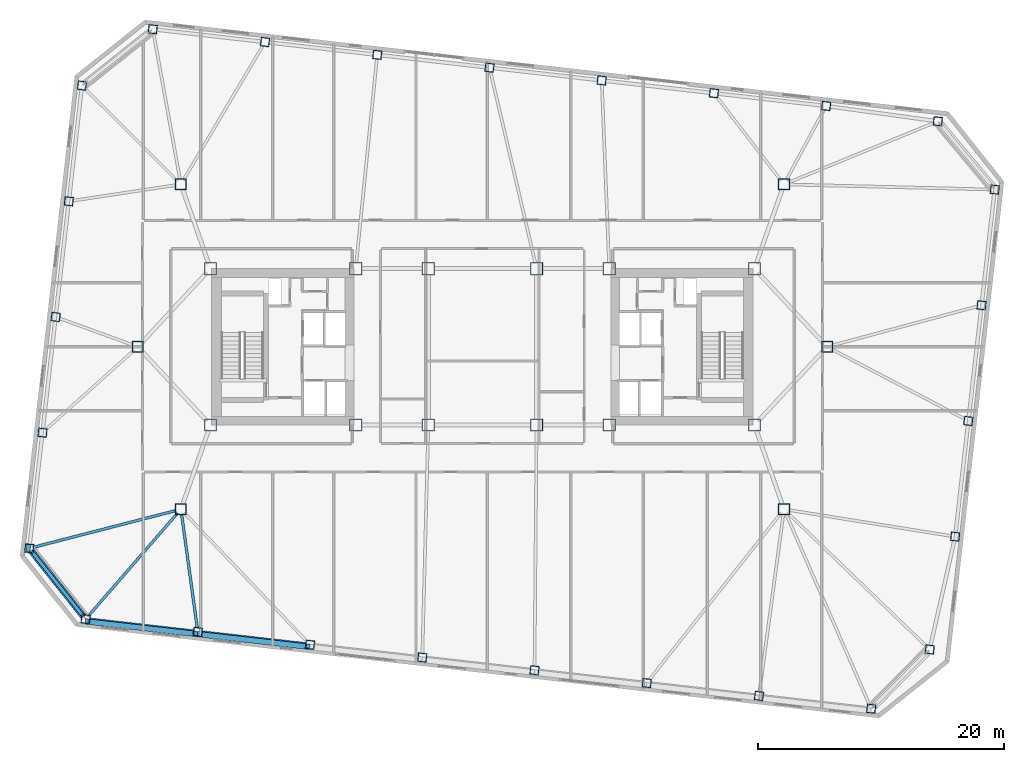
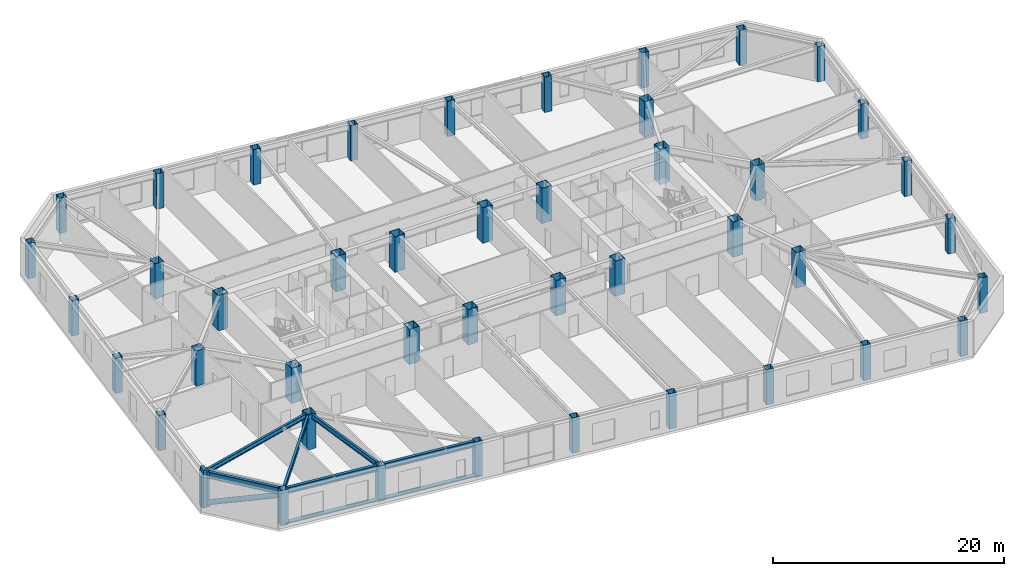
# One storey, part 1 of 21: 44 columns, 6 beams, 4 members.
"""IFC4 building model written with IfcOpenShell, lengths in metres."""

from ifc_helpers import new_model, si_unit, direction, frame, origin, origin_2d, place, context, subcontext, project, spatial, rectangle, hollow_rectangle, hollow_circle, i_section, extrude, material, material_profile, profile_set, type_object, element, save


model = new_model("IFC4")

# Units and contexts
model_context = context("Model", 3, precision=1e-05, world=origin(), true_north=direction((0.0, 1.0)))
body_context = subcontext(model_context, "Body", "Model", "MODEL_VIEW")
ifc_project = project(units=[si_unit("LENGTHUNIT", "METRE"), si_unit("AREAUNIT", "SQUARE_METRE"), si_unit("VOLUMEUNIT", "CUBIC_METRE"), si_unit("PLANEANGLEUNIT", "RADIAN"), si_unit("MASSUNIT", "GRAM", prefix="KILO")], contexts=[model_context])

# Site, building, storey
site_placement = place(None, origin())
site = spatial("IfcSite", under=ifc_project, at=site_placement, CompositionType="ELEMENT")
building_placement = place(site_placement, origin())
building = spatial("IfcBuilding", under=site, at=building_placement, Name="Tavrogorsk Clinical Tower", CompositionType="ELEMENT")
storey_placement = place(building_placement, frame((0.0, 0.0, 137.39990234375)))
storey = spatial("IfcBuildingStorey", under=building, at=storey_placement, Name="L31", CompositionType="ELEMENT", Elevation=137.39990234375)

# Columns
ifc_material_1 = material(Name="Structural steel S440", Category="steel")
ifc_material_profile_1 = material_profile(ifc_material_1, hollow_rectangle(XDim=1.0, YDim=1.0, WallThickness=0.044921875, at=origin_2d()), Name="BOX-1000x1000x45")
ifc_profile_set_1 = profile_set([ifc_material_profile_1], Name="Structural steel S440")
column_type_1 = type_object("IfcColumnType", Name="MegaCol_BOX1000", PredefinedType="COLUMN", material=ifc_profile_set_1)
for number, where, z_axis, x_axis, name in (
    (1, (-22.10009765625, -6.35009765625, 0.0), (0.0, 0.0, 1.0), (1.0, 0.0, 0.0), "L31 Mega Column MC-W1"),
    (2, (-22.10009765625, 6.35009765625, 0.0), (0.0, 0.0, 1.0), (1.0, 0.0, 0.0), "L31 Mega Column MC-W2"),
    (3, (-10.300048828125, -6.35009765625, 0.0), (0.0, 0.0, 1.0), (1.0, 0.0, 0.0), "L31 Mega Column MC-W3"),
    (4, (-10.300048828125, 6.35009765625, 0.0), (0.0, 0.0, 1.0), (1.0, 0.0, 0.0), "L31 Mega Column MC-W4"),
    (5, (10.300048828125, -6.35009765625, 0.0), (0.0, 0.0, 1.0), (1.0, 0.0, 0.0), "L31 Mega Column MC-E1"),
    (6, (10.300048828125, 6.35009765625, 0.0), (0.0, 0.0, 1.0), (1.0, 0.0, 0.0), "L31 Mega Column MC-E2"),
    (7, (22.10009765625, -6.35009765625, 0.0), (0.0, 0.0, 1.0), (1.0, 0.0, 0.0), "L31 Mega Column MC-E3"),
    (8, (22.10009765625, 6.35009765625, 0.0), (0.0, 0.0, 1.0), (1.0, 0.0, 0.0), "L31 Mega Column MC-E4"),
    (9, (-4.39990234375, -6.35009765625, 0.0), (0.0, 0.0, 1.0), (1.0, 0.0, 0.0), "L31 Mega Column MC-C1"),
    (10, (4.39990234375, -6.35009765625, 0.0), (0.0, 0.0, 1.0), (1.0, 0.0, 0.0), "L31 Mega Column MC-C2"),
    (11, (-4.39990234375, 6.35009765625, 0.0), (0.0, 0.0, 1.0), (1.0, 0.0, 0.0), "L31 Mega Column MC-C3"),
    (12, (4.39990234375, 6.35009765625, 0.0), (0.0, 0.0, 1.0), (1.0, 0.0, 0.0), "L31 Mega Column MC-C4"),
):
    element("IfcColumn", number, at=place(storey_placement, frame(where, z_axis=z_axis, x_axis=x_axis)), inside=storey, type_object=column_type_1, Name=name, PredefinedType="COLUMN", context=body_context, shape_type="SweptSolid", body=[
        extrude(hollow_rectangle(XDim=1.0, YDim=1.0, WallThickness=0.044921875, at=origin_2d()), origin(), (0.0, 0.0, 1.0), 3.739990234375),
    ])
ifc_material_2 = material(Name="Structural steel S440", Category="steel")
ifc_material_profile_2 = material_profile(ifc_material_2, hollow_rectangle(XDim=0.89990234375, YDim=0.89990234375, WallThickness=0.0400390625, at=origin_2d()), Name="BOX-900x900x40")
ifc_profile_set_2 = profile_set([ifc_material_profile_2], Name="Structural steel S440")
column_type_2 = type_object("IfcColumnType", Name="MegaCol_BOX900", PredefinedType="COLUMN", material=ifc_profile_set_2)
for number, where, z_axis, x_axis, name in (
    (13, (-24.5, -13.199951171875, 0.0), (0.0, 0.0, 1.0), (1.0, 0.0, 0.0), "L31 Spine Pilotis Column MC-P1"),
    (14, (24.5, -13.199951171875, 0.0), (0.0, 0.0, 1.0), (1.0, 0.0, 0.0), "L31 Spine Pilotis Column MC-P2"),
    (15, (-24.5, 13.199951171875, 0.0), (0.0, 0.0, 1.0), (1.0, 0.0, 0.0), "L31 Spine Pilotis Column MC-P3"),
    (16, (24.5, 13.199951171875, 0.0), (0.0, 0.0, 1.0), (1.0, 0.0, 0.0), "L31 Spine Pilotis Column MC-P4"),
    (17, (-28.0, 0.0, 0.0), (0.0, 0.0, 1.0), (1.0, 0.0, 0.0), "L31 Spine Pilotis Column MC-P5"),
    (18, (28.0, 0.0, 0.0), (0.0, 0.0, 1.0), (1.0, 0.0, 0.0), "L31 Spine Pilotis Column MC-P6"),
):
    element("IfcColumn", number, at=place(storey_placement, frame(where, z_axis=z_axis, x_axis=x_axis)), inside=storey, type_object=column_type_2, Name=name, PredefinedType="COLUMN", context=body_context, shape_type="SweptSolid", body=[
        extrude(hollow_rectangle(XDim=0.89990234375, YDim=0.89990234375, WallThickness=0.0400390625, at=origin_2d()), origin(), (0.0, 0.0, 1.0), 3.739990234375),
    ])
ifc_material_3 = material(Name="Structural steel S440", Category="steel")
ifc_material_profile_3 = material_profile(ifc_material_3, hollow_rectangle(XDim=0.699951171875, YDim=0.699951171875, WallThickness=0.031982421875, at=origin_2d()), Name="BOX-700x700x32")
ifc_profile_set_3 = profile_set([ifc_material_profile_3], Name="Structural steel S440")
column_type_3 = type_object("IfcColumnType", Name="PerimCol_B2_BOX700", PredefinedType="COLUMN", material=ifc_profile_set_3)
for number, where, z_axis, x_axis, name in (
    (19, (-32.243896484375, -22.12890625, 0.0), (0.0, 0.0, 1.0), (0.993571855677, -0.113203213768, 0.0), "L31 Perimeter Column S1"),
    (20, (-23.1259765625, -23.167724609375, 0.0), (0.0, 0.0, 1.0), (0.993571855677, -0.113203213768, 0.0), "L31 Perimeter Column S2"),
    (21, (-14.0078125, -24.20654296875, 0.0), (0.0, 0.0, 1.0), (0.993571855677, -0.113203213768, 0.0), "L31 Perimeter Column S3"),
    (22, (-4.8896484375, -25.24560546875, 0.0), (0.0, 0.0, 1.0), (0.993571855677, -0.113203213768, 0.0), "L31 Perimeter Column S4"),
    (23, (4.228515625, -26.284423828125, 0.0), (0.0, 0.0, 1.0), (0.993571855677, -0.113203213768, 0.0), "L31 Perimeter Column S5"),
    (24, (13.3466796875, -27.3232421875, 0.0), (0.0, 0.0, 1.0), (0.993571855677, -0.113203213768, 0.0), "L31 Perimeter Column S6"),
    (25, (22.465087890625, -28.3623046875, 0.0), (0.0, 0.0, 1.0), (0.993571855677, -0.113203213768, 0.0), "L31 Perimeter Column S7"),
    (26, (31.5830078125, -29.40087890625, 0.0), (0.0, 0.0, 1.0), (0.993571855677, -0.113203213768, 0.0), "L31 Perimeter Column S8"),
    (27, (36.99658203125, 18.323486328125, 0.0), (0.0, 0.0, 1.0), (0.993571855677, -0.113203213768, 0.0), "L31 Perimeter Column N1"),
    (28, (27.92578125, 19.567626953125, 0.0), (0.0, 0.0, 1.0), (0.993571855677, -0.113203213768, 0.0), "L31 Perimeter Column N2"),
    (29, (18.8076171875, 20.606689453125, 0.0), (0.0, 0.0, 1.0), (0.993571855677, -0.113203213768, 0.0), "L31 Perimeter Column N3"),
    (30, (9.689697265625, 21.6455078125, 0.0), (0.0, 0.0, 1.0), (0.993571855677, -0.113203213768, 0.0), "L31 Perimeter Column N4"),
    (31, (0.5712890625, 22.684326171875, 0.0), (0.0, 0.0, 1.0), (0.993571855677, -0.113203213768, 0.0), "L31 Perimeter Column N5"),
    (32, (-8.546875, 23.723388671875, 0.0), (0.0, 0.0, 1.0), (0.993571855677, -0.113203213768, 0.0), "L31 Perimeter Column N6"),
    (33, (-17.6650390625, 24.76220703125, 0.0), (0.0, 0.0, 1.0), (0.993571855677, -0.113203213768, 0.0), "L31 Perimeter Column N7"),
    (34, (-26.783203125, 25.801025390625, 0.0), (0.0, 0.0, 1.0), (0.993571855677, -0.113203213768, 0.0), "L31 Perimeter Column N8"),
    (35, (36.335693359375, -24.591796875, 0.0), (0.0, 0.0, 1.0), (0.993571855677, -0.113203213768, 0.0), "L31 Perimeter Column E1"),
    (36, (38.4091796875, -15.423828125, 0.0), (0.0, 0.0, 1.0), (0.993571855677, -0.113203213768, 0.0), "L31 Perimeter Column E2"),
    (37, (39.47998046875, -6.024658203125, 0.0), (0.0, 0.0, 1.0), (0.993571855677, -0.113203213768, 0.0), "L31 Perimeter Column E3"),
    (38, (40.551025390625, 3.37451171875, 0.0), (0.0, 0.0, 1.0), (0.993571855677, -0.113203213768, 0.0), "L31 Perimeter Column E4"),
    (39, (41.621826171875, 12.773681640625, 0.0), (0.0, 0.0, 1.0), (0.993571855677, -0.113203213768, 0.0), "L31 Perimeter Column E5"),
    (40, (-32.538330078125, 21.22314453125, 0.0), (0.0, 0.0, 1.0), (0.993571855677, -0.113203213768, 0.0), "L31 Perimeter Column W1"),
    (41, (-33.609130859375, 11.823974609375, 0.0), (0.0, 0.0, 1.0), (0.993571855677, -0.113203213768, 0.0), "L31 Perimeter Column W2"),
    (42, (-34.68017578125, 2.4248046875, 0.0), (0.0, 0.0, 1.0), (0.993571855677, -0.113203213768, 0.0), "L31 Perimeter Column W3"),
    (43, (-35.7509765625, -6.974365234375, 0.0), (0.0, 0.0, 1.0), (0.993571855677, -0.113203213768, 0.0), "L31 Perimeter Column W4"),
    (44, (-36.822021484375, -16.37353515625, 0.0), (0.0, 0.0, 1.0), (0.993571855677, -0.113203213768, 0.0), "L31 Perimeter Column W5"),
):
    element("IfcColumn", number, at=place(storey_placement, frame(where, z_axis=z_axis, x_axis=x_axis)), inside=storey, type_object=column_type_3, Name=name, PredefinedType="COLUMN", context=body_context, shape_type="SweptSolid", body=[
        extrude(hollow_rectangle(XDim=0.699951171875, YDim=0.699951171875, WallThickness=0.031982421875, at=origin_2d()), origin(), (0.0, 0.0, 1.0), 3.739990234375),
    ])

# Members
ifc_material_4 = material(Name="Anodised aluminium alloy AW-6063", Category="aluminium")
ifc_material_profile_4 = material_profile(ifc_material_4, rectangle(XDim=0.449951171875, YDim=0.1201171875, at=origin_2d()), Name="ALU-SUNSHADE-450x120")
ifc_profile_set_4 = profile_set([ifc_material_profile_4], Name="Anodised aluminium alloy AW-6063")
member_type_1 = type_object("IfcMemberType", Name="ChicagoSunshade_450x120", PredefinedType="USERDEFINED", material=ifc_profile_set_4)
for number, where, z_axis, x_axis, name in (
    (45, (-32.264404296875, -22.3076171875, 0.18017578125), (0.993572654864, -0.113196199166, 0.0), (0.113196199166, 0.993572654864, 0.0), "L31 South Aluminium Sunshade S1"),
    (46, (-23.146240234375, -23.346435546875, 0.18017578125), (0.993569662511, -0.113222461274, 0.0), (0.113222461274, 0.993569662511, 0.0), "L31 South Aluminium Sunshade S2"),
):
    element("IfcMember", number, at=place(storey_placement, frame(where, z_axis=z_axis, x_axis=x_axis)), inside=storey, type_object=member_type_1, Name=name, ObjectType="SUNSHADE", PredefinedType="USERDEFINED", context=body_context, shape_type="SweptSolid", body=[
        extrude(rectangle(XDim=0.449951171875, YDim=0.1201171875, at=origin_2d()), origin(), (0.0, 0.0, 1.0), 9.17724609375),
    ])
ifc_material_5 = material(Name="Structural steel S440", Category="steel")
ifc_material_profile_5 = material_profile(ifc_material_5, hollow_circle(Radius=0.25390625, WallThickness=0.02001953125, at=origin_2d()), Name="CHS-508x20")
ifc_profile_set_5 = profile_set([ifc_material_profile_5], Name="Structural steel S440")
member_type_2 = type_object("IfcMemberType", Name="ExoBrace_CHS508", PredefinedType="BRACE", material=ifc_profile_set_5)
member_1_placement = place(storey_placement, frame((-36.613037109375, -16.63623046875, 0.425048828125), z_axis=(0.583326985798, -0.73336936718, 0.349140371371), x_axis=(0.782619256143, 0.622500682662, 0.0)))
element("IfcMember", 47, at=member_1_placement, inside=storey, type_object=member_type_2, Name="L31 Corner Exoskeleton Brace W5-S1", PredefinedType="BRACE", context=body_context, shape_type="SweptSolid", body=[
    extrude(hollow_circle(Radius=0.25390625, WallThickness=0.02001953125, at=origin_2d()), origin(), (0.0, 0.0, 1.0), 7.1318359375),
])

# Beams
ifc_material_6 = material(Name="Structural steel S355", Category="steel")
ifc_material_profile_6 = material_profile(ifc_material_6, i_section(OverallWidth=0.219970703125, OverallDepth=0.5, WebThickness=0.012939453125, FlangeThickness=0.02001953125, at=origin_2d()), Name="B-500x220x13x20")
ifc_profile_set_6 = profile_set([ifc_material_profile_6], Name="Structural steel S355")
beam_type_1 = type_object("IfcBeamType", Name="FloorBeam_B500", PredefinedType="BEAM", material=ifc_profile_set_6)
beam_1_placement = place(storey_placement, frame((-24.7685546875, -13.509765625, 3.489990234375), z_axis=(-0.655213926096, -0.755443387058, 0.0), x_axis=(0.755443387058, -0.655213926096, 0.0)))
element("IfcBeam", 48, at=beam_1_placement, inside=storey, type_object=beam_type_1, Name="L31 Radial Floor Beam S1", PredefinedType="BEAM", context=body_context, shape_type="SweptSolid", body=[
    extrude(i_section(OverallWidth=0.219970703125, OverallDepth=0.5, WebThickness=0.012939453125, FlangeThickness=0.02001953125, at=origin_2d()), origin(), (0.0, 0.0, 1.0), 11.05126953125),
])
beam_2_placement = place(storey_placement, frame((-24.444091796875, -13.606201171875, 3.489990234375), z_axis=(0.136572505989, -0.990630077581, 0.0), x_axis=(0.990630077581, 0.136572505989, 0.0)))
element("IfcBeam", 49, at=beam_2_placement, inside=storey, type_object=beam_type_1, Name="L31 Radial Floor Beam S2", PredefinedType="BEAM", context=body_context, shape_type="SweptSolid", body=[
    extrude(i_section(OverallWidth=0.219970703125, OverallDepth=0.5, WebThickness=0.012939453125, FlangeThickness=0.02001953125, at=origin_2d()), origin(), (0.0, 0.0, 1.0), 9.2939453125),
])
beam_3_placement = place(storey_placement, frame((-24.89697265625, -13.30224609375, 3.489990234375), z_axis=(-0.968393085087, -0.24942901346, 0.0), x_axis=(0.24942901346, -0.968393085087, 0.0)))
element("IfcBeam", 50, at=beam_3_placement, inside=storey, type_object=beam_type_1, Name="L31 Radial Floor Beam W5", PredefinedType="BEAM", context=body_context, shape_type="SweptSolid", body=[
    extrude(i_section(OverallWidth=0.219970703125, OverallDepth=0.5, WebThickness=0.012939453125, FlangeThickness=0.02001953125, at=origin_2d()), origin(), (0.0, 0.0, 1.0), 11.9560546875),
])

# Member
ifc_material_7 = material(Name="Precast concrete B45 with limestone cladding", Category="masonry")
ifc_material_profile_7 = material_profile(ifc_material_7, rectangle(XDim=0.320068359375, YDim=0.719970703125, at=origin_2d()), Name="LIMESTONE-FIN-320x720")
ifc_profile_set_7 = profile_set([ifc_material_profile_7], Name="Precast concrete B45 with limestone cladding")
member_type_3 = type_object("IfcMemberType", Name="LimestonePleatFin_320x720", PredefinedType="USERDEFINED", material=ifc_profile_set_7)
member_2_placement = place(storey_placement, frame((-36.9013671875, -16.364501953125, 0.0), z_axis=(0.0, 0.0, 1.0), x_axis=(0.993571855677, -0.113203213768, 0.0)))
element("IfcMember", 51, at=member_2_placement, inside=storey, type_object=member_type_3, Name="L31 W Pleated Stone Fin 4", ObjectType="FIN", PredefinedType="USERDEFINED", context=body_context, shape_type="SweptSolid", body=[
    extrude(rectangle(XDim=0.320068359375, YDim=0.719970703125, at=origin_2d()), origin(), (0.0, 0.0, 1.0), 4.0),
])

# Beams
ifc_material_8 = material(Name="Structural steel S390", Category="steel")
ifc_material_profile_8 = material_profile(ifc_material_8, i_section(OverallWidth=0.280029296875, OverallDepth=0.64990234375, WebThickness=0.01611328125, FlangeThickness=0.02490234375, at=origin_2d()), Name="B-650x280x16x25")
ifc_profile_set_8 = profile_set([ifc_material_profile_8], Name="Structural steel S390")
beam_type_2 = type_object("IfcBeamType", Name="SpandrelBeam_B650", PredefinedType="SPANDREL", material=ifc_profile_set_8)
beam_4_placement = place(storey_placement, frame((-31.88818359375, -22.16943359375, 3.4150390625), z_axis=(0.99357232562, -0.113199089054, 0.0), x_axis=(0.113199089054, 0.99357232562, 0.0)))
element("IfcBeam", 52, at=beam_4_placement, inside=storey, type_object=beam_type_2, Name="L31 Perimeter Spandrel S1-S2", PredefinedType="SPANDREL", context=body_context, shape_type="SweptSolid", body=[
    extrude(i_section(OverallWidth=0.280029296875, OverallDepth=0.64990234375, WebThickness=0.01611328125, FlangeThickness=0.02490234375, at=origin_2d()), origin(), (0.0, 0.0, 1.0), 8.4609375),
])
beam_5_placement = place(storey_placement, frame((-22.770263671875, -23.208251953125, 3.4150390625), z_axis=(0.99357306506, -0.113192598642, 0.0), x_axis=(0.113192598642, 0.99357306506, 0.0)))
element("IfcBeam", 53, at=beam_5_placement, inside=storey, type_object=beam_type_2, Name="L31 Perimeter Spandrel S2-S3", PredefinedType="SPANDREL", context=body_context, shape_type="SweptSolid", body=[
    extrude(i_section(OverallWidth=0.280029296875, OverallDepth=0.64990234375, WebThickness=0.01611328125, FlangeThickness=0.02490234375, at=origin_2d()), origin(), (0.0, 0.0, 1.0), 8.46142578125),
])
beam_6_placement = place(storey_placement, frame((-36.59912109375, -16.65380859375, 3.4150390625), z_axis=(0.622530733212, -0.782595352788, 0.0), x_axis=(0.782595352788, 0.622530733212, 0.0)))
element("IfcBeam", 54, at=beam_6_placement, inside=storey, type_object=beam_type_2, Name="L31 Perimeter Spandrel W5-S1", PredefinedType="SPANDREL", context=body_context, shape_type="SweptSolid", body=[
    extrude(i_section(OverallWidth=0.280029296875, OverallDepth=0.64990234375, WebThickness=0.01611328125, FlangeThickness=0.02490234375, at=origin_2d()), origin(), (0.0, 0.0, 1.0), 6.637939453125),
])

save(model, "model.ifc")
